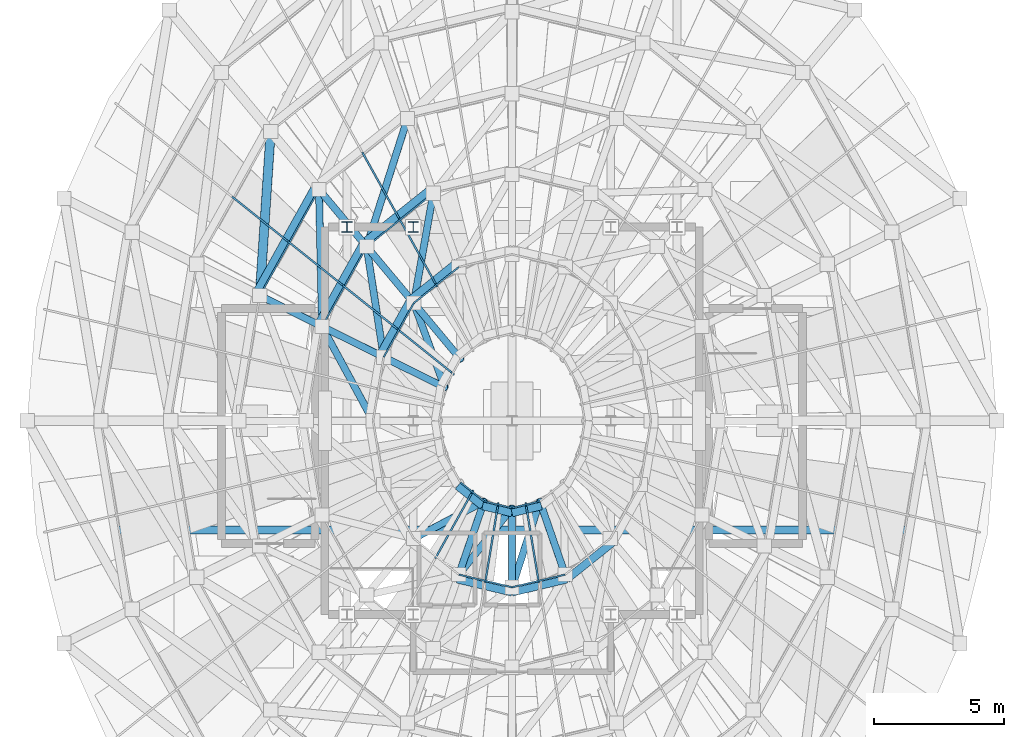
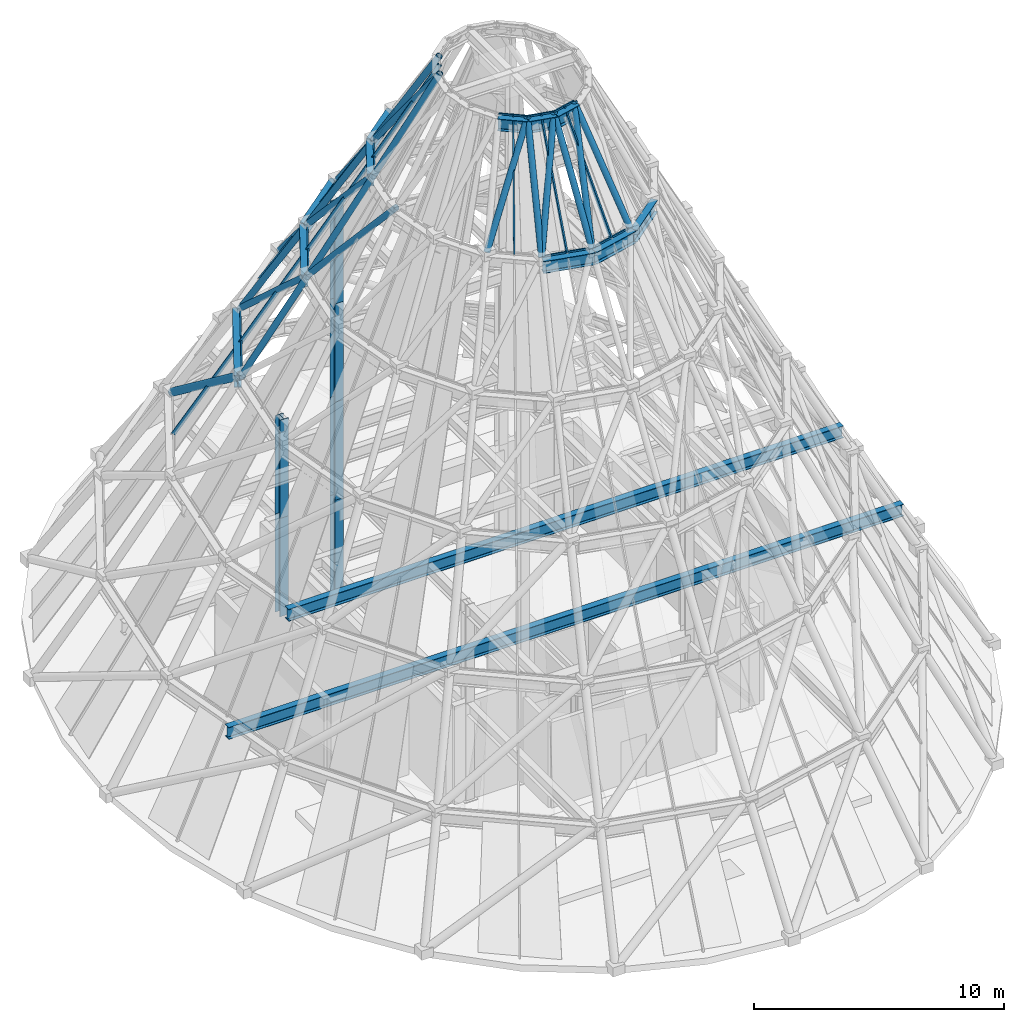
# One storey, part 5 of 16: 44 members, 13 beams, 4 elements without a shape of their own.
"""IFC4 building model written with IfcOpenShell, lengths in metres."""

from ifc_helpers import new_model, si_unit, direction, frame, origin, origin_2d, place, context, subcontext, project, spatial, hollow_rectangle, hollow_circle, i_section, extrude, material, layer, layer_set, material_profile, profile_set, type_object, element, aggregate, save


model = new_model("IFC4")

# Units and contexts
model_context = context("Model", 3, precision=1e-05, world=origin(), true_north=direction((0.0, 1.0)))
body_context = subcontext(model_context, "Body", "Model", "MODEL_VIEW")
ifc_project = project(units=[si_unit("LENGTHUNIT", "METRE"), si_unit("AREAUNIT", "SQUARE_METRE"), si_unit("VOLUMEUNIT", "CUBIC_METRE"), si_unit("PLANEANGLEUNIT", "RADIAN"), si_unit("MASSUNIT", "GRAM", prefix="KILO")], contexts=[model_context])

# Site, building, storey
site_placement = place(None, origin())
site = spatial("IfcSite", under=ifc_project, at=site_placement, CompositionType="ELEMENT")
building_placement = place(site_placement, origin())
building = spatial("IfcBuilding", under=site, at=building_placement, Name="Veldorina Hangang Commons", CompositionType="ELEMENT")
storey_placement = place(building_placement, frame((0.0, 0.0, 308.39990234375)))
storey = spatial("IfcBuildingStorey", under=building, at=storey_placement, Name="Crown", CompositionType="ELEMENT", Elevation=308.39990234375)

# Beams
ifc_material_1 = material(Name="Steel SM460-TMC", Category="steel")
ifc_material_profile_1 = material_profile(ifc_material_1, i_section(OverallWidth=0.300048828125, OverallDepth=0.587890625, WebThickness=0.011962890625, FlangeThickness=0.02001953125, FilletRadius=0.01806640625, at=origin_2d()), Name="H-588x300x12x20")
ifc_profile_set_1 = profile_set([ifc_material_profile_1], Name="Steel SM460-TMC")
beam_type = type_object("IfcBeamType", Name="BM-FG588", PredefinedType="BEAM", material=ifc_profile_set_1)
beam_1_placement = place(storey_placement, frame((16.39990234375, 19.800048828125, 4.5), z_axis=(1.0, 0.0, 0.0), x_axis=(0.0, 1.0, 0.0)))
element("IfcBeam", 1, at=beam_1_placement, inside=storey, type_object=beam_type, Name="Crown tier 1 S grillage tie beam", PredefinedType="BEAM", context=body_context, shape_type="SweptSolid", body=[
    extrude(i_section(OverallWidth=0.300048828125, OverallDepth=0.587890625, WebThickness=0.011962890625, FlangeThickness=0.02001953125, FilletRadius=0.01806640625, at=origin_2d()), origin(), (0.0, 0.0, 1.0), 31.2001953125),
])
beam_2_placement = place(storey_placement, frame((19.174072265625, 19.800048828125, 9.300048828125), z_axis=(1.0, 0.0, 0.0), x_axis=(0.0, 1.0, 0.0)))
element("IfcBeam", 2, at=beam_2_placement, inside=storey, type_object=beam_type, Name="Crown tier 2 S grillage tie beam", PredefinedType="BEAM", context=body_context, shape_type="SweptSolid", body=[
    extrude(i_section(OverallWidth=0.300048828125, OverallDepth=0.587890625, WebThickness=0.011962890625, FlangeThickness=0.02001953125, FilletRadius=0.01806640625, at=origin_2d()), origin(), (0.0, 0.0, 1.0), 25.65185546875),
])
beam_3_placement = place(storey_placement, frame((24.45849609375, 33.03759765625, 14.10009765625), z_axis=(-0.486956666645, -0.873426130139, 0.0), x_axis=(0.873426130139, -0.486956666645, 0.0)))
element("IfcBeam", 3, at=beam_3_placement, inside=storey, type_object=beam_type, Name="Crown tier 3 ring beam 06", PredefinedType="BEAM", context=body_context, shape_type="SweptSolid", body=[
    extrude(i_section(OverallWidth=0.300048828125, OverallDepth=0.587890625, WebThickness=0.011962890625, FlangeThickness=0.02001953125, FilletRadius=0.01806640625, at=origin_2d()), origin(), (0.0, 0.0, 1.0), 4.747314453125),
])
beam_4_placement = place(storey_placement, frame((28.911376953125, 32.935791015625, 18.900146484375), z_axis=(-0.780584702233, -0.62505001611, 0.0), x_axis=(0.62505001611, -0.780584702233, 0.0)))
element("IfcBeam", 4, at=beam_4_placement, inside=storey, type_object=beam_type, Name="Crown tier 4 ring beam 05", PredefinedType="BEAM", context=body_context, shape_type="SweptSolid", body=[
    extrude(i_section(OverallWidth=0.300048828125, OverallDepth=0.587890625, WebThickness=0.011962890625, FlangeThickness=0.02001953125, FilletRadius=0.01806640625, at=origin_2d()), origin(), (0.0, 0.0, 1.0), 3.3544921875),
])
beam_5_placement = place(storey_placement, frame((26.29296875, 30.839111328125, 18.900146484375), z_axis=(-0.486992551607, -0.873406122419, 0.0), x_axis=(0.873406122419, -0.486992551607, 0.0)))
element("IfcBeam", 5, at=beam_5_placement, inside=storey, type_object=beam_type, Name="Crown tier 4 ring beam 06", PredefinedType="BEAM", context=body_context, shape_type="SweptSolid", body=[
    extrude(i_section(OverallWidth=0.300048828125, OverallDepth=0.587890625, WebThickness=0.011962890625, FlangeThickness=0.02001953125, FilletRadius=0.01806640625, at=origin_2d()), origin(), (0.0, 0.0, 1.0), 3.592529296875),
])
beam_6_placement = place(storey_placement, frame((29.89404296875, 30.093017578125, 23.7001953125), z_axis=(-0.780577146604, -0.625059451732, 0.0), x_axis=(0.625059451732, -0.780577146604, 0.0)))
element("IfcBeam", 6, at=beam_6_placement, inside=storey, type_object=beam_type, Name="Crown tier 5 ring beam 05", PredefinedType="BEAM", context=body_context, shape_type="SweptSolid", body=[
    extrude(i_section(OverallWidth=0.300048828125, OverallDepth=0.587890625, WebThickness=0.011962890625, FlangeThickness=0.02001953125, FilletRadius=0.01806640625, at=origin_2d()), origin(), (0.0, 0.0, 1.0), 2.287353515625),
])
beam_7_placement = place(storey_placement, frame((28.108642578125, 28.663330078125, 23.7001953125), z_axis=(-0.487021535695, -0.873389960882, 0.0), x_axis=(0.873389960882, -0.487021535695, 0.0)))
element("IfcBeam", 7, at=beam_7_placement, inside=storey, type_object=beam_type, Name="Crown tier 5 ring beam 06", PredefinedType="BEAM", context=body_context, shape_type="SweptSolid", body=[
    extrude(i_section(OverallWidth=0.300048828125, OverallDepth=0.587890625, WebThickness=0.011962890625, FlangeThickness=0.02001953125, FilletRadius=0.01806640625, at=origin_2d()), origin(), (0.0, 0.0, 1.0), 2.44970703125),
])
for number, where, z_axis, x_axis, name in (
    (8, (29.89404296875, 17.906982421875, 23.7001953125), (0.972725088951, -0.231960990954, 0.0), (0.231960990954, 0.972725088951, 0.0), "Crown tier 5 ring beam 11"),
    (9, (32.0, 17.40478515625, 23.7001953125), (0.972725088951, 0.231960990954, 0.0), (-0.231960990954, 0.972725088951, 0.0), "Crown tier 5 ring beam 12"),
):
    element("IfcBeam", number, at=place(storey_placement, frame(where, z_axis=z_axis, x_axis=x_axis)), inside=storey, type_object=beam_type, Name=name, PredefinedType="BEAM", context=body_context, shape_type="SweptSolid", body=[
        extrude(i_section(OverallWidth=0.300048828125, OverallDepth=0.587890625, WebThickness=0.011962890625, FlangeThickness=0.02001953125, FilletRadius=0.01806640625, at=origin_2d()), origin(), (0.0, 0.0, 1.0), 2.1650390625),
    ])
beam_8_placement = place(storey_placement, frame((34.10595703125, 17.906982421875, 23.7001953125), z_axis=(0.780577146604, 0.625059451732, 0.0), x_axis=(-0.625059451732, 0.780577146604, 0.0)))
element("IfcBeam", 10, at=beam_8_placement, inside=storey, type_object=beam_type, Name="Crown tier 5 ring beam 13", PredefinedType="BEAM", context=body_context, shape_type="SweptSolid", body=[
    extrude(i_section(OverallWidth=0.300048828125, OverallDepth=0.587890625, WebThickness=0.011962890625, FlangeThickness=0.02001953125, FilletRadius=0.01806640625, at=origin_2d()), origin(), (0.0, 0.0, 1.0), 2.287353515625),
])
beam_9_placement = place(storey_placement, frame((29.909423828125, 21.49462890625, 28.5), z_axis=(0.780519739347, -0.625131135434, 0.0), x_axis=(0.625131135434, 0.780519739347, 0.0)))
element("IfcBeam", 11, at=beam_9_placement, inside=storey, type_object=beam_type, Name="Crown tier 6 ring beam 10", PredefinedType="BEAM", context=body_context, shape_type="SweptSolid", body=[
    extrude(i_section(OverallWidth=0.300048828125, OverallDepth=0.587890625, WebThickness=0.011962890625, FlangeThickness=0.02001953125, FilletRadius=0.01806640625, at=origin_2d()), origin(), (0.0, 0.0, 1.0), 1.228759765625),
])
for number, where, z_axis, x_axis, name in (
    (12, (30.868408203125, 20.7265625, 28.5), (0.972738619202, -0.231904244707, 0.0), (0.231904244707, 0.972738619202, 0.0), "Crown tier 6 ring beam 11"),
    (13, (32.0, 20.456787109375, 28.5), (0.972738619202, 0.231904244707, 0.0), (-0.231904244707, 0.972738619202, 0.0), "Crown tier 6 ring beam 12"),
):
    element("IfcBeam", number, at=place(storey_placement, frame(where, z_axis=z_axis, x_axis=x_axis)), inside=storey, type_object=beam_type, Name=name, PredefinedType="BEAM", context=body_context, shape_type="SweptSolid", body=[
        extrude(i_section(OverallWidth=0.300048828125, OverallDepth=0.587890625, WebThickness=0.011962890625, FlangeThickness=0.02001953125, FilletRadius=0.01806640625, at=origin_2d()), origin(), (0.0, 0.0, 1.0), 1.163330078125),
    ])

# Members
ifc_material_profile_2 = material_profile(ifc_material_1, i_section(OverallWidth=0.39990234375, OverallDepth=0.39990234375, WebThickness=0.012939453125, FlangeThickness=0.02099609375, FilletRadius=0.01806640625, at=origin_2d()), Name="H-400x400x13x21")
ifc_profile_set_2 = profile_set([ifc_material_profile_2], Name="Steel SM460-TMC")
member_type_1 = type_object("IfcMemberType", Name="CRN-POST-H400", PredefinedType="BRACE", material=ifc_profile_set_2)
for number, where, z_axis, x_axis, name in (
    (14, (25.64990234375, 31.449951171875, 0.0), (0.0, 0.0, 1.0), (1.0, 0.0, 0.0), "Crown tier 1 outer core post NW"),
    (15, (28.199951171875, 31.449951171875, 0.0), (0.0, 0.0, 1.0), (1.0, 0.0, 0.0), "Crown tier 1 inner core post INW"),
    (16, (25.64990234375, 31.449951171875, 4.800048828125), (0.0, 0.0, 1.0), (1.0, 0.0, 0.0), "Crown tier 2 outer core post NW"),
    (17, (28.199951171875, 31.449951171875, 4.800048828125), (0.0, 0.0, 1.0), (1.0, 0.0, 0.0), "Crown tier 2 inner core post INW"),
    (18, (28.199951171875, 31.449951171875, 9.60009765625), (0.0, 0.0, 1.0), (1.0, 0.0, 0.0), "Crown tier 3 inner core post INW"),
    (19, (28.199951171875, 31.449951171875, 14.400146484375), (0.0, 0.0, 1.0), (1.0, 0.0, 0.0), "Crown tier 4 inner core post INW"),
):
    element("IfcMember", number, at=place(storey_placement, frame(where, z_axis=z_axis, x_axis=x_axis)), inside=storey, type_object=member_type_1, Name=name, PredefinedType="BRACE", context=body_context, shape_type="SweptSolid", body=[
        extrude(i_section(OverallWidth=0.39990234375, OverallDepth=0.39990234375, WebThickness=0.012939453125, FlangeThickness=0.02099609375, FilletRadius=0.01806640625, at=origin_2d()), origin(), (0.0, 0.0, 1.0), 4.800048828125),
    ])
ifc_material_2 = material(Name="Steel SM355-TMC", Category="steel")
ifc_material_profile_3 = material_profile(ifc_material_2, hollow_circle(Radius=0.136474609375, WallThickness=0.011962890625, at=origin_2d()), Name="CHS-273.0x12")
ifc_profile_set_3 = profile_set([ifc_material_profile_3], Name="Steel SM355-TMC")
member_type_2 = type_object("IfcMemberType", Name="CRN-RIB273", PredefinedType="BRACE", material=ifc_profile_set_3)
member_1_placement = place(storey_placement, frame((27.9814453125, 35.626220703125, 14.400146484375), z_axis=(-0.223081746633, -0.698038912441, 0.680423552677), x_axis=(0.95253923004, -0.30441585904, 0.0)))
element("IfcMember", 20, at=member_1_placement, inside=storey, type_object=member_type_2, Name="Crown tier 4 CROWN FRAME diagrid brace 05", PredefinedType="BRACE", context=body_context, shape_type="SweptSolid", body=[
    extrude(hollow_circle(Radius=0.136474609375, WallThickness=0.011962890625, at=origin_2d()), origin(), (0.0, 0.0, 1.0), 7.054443359375),
])
member_2_placement = place(storey_placement, frame((24.57470703125, 32.8984375, 14.400146484375), z_axis=(0.328028884835, -0.393084160477, 0.859000520079), x_axis=(0.767780420949, 0.640713059963, 0.0)))
element("IfcMember", 21, at=member_2_placement, inside=storey, type_object=member_type_2, Name="Crown tier 4 CROWN FRAME meridian rib 06", PredefinedType="BRACE", context=body_context, shape_type="SweptSolid", body=[
    extrude(hollow_circle(Radius=0.136474609375, WallThickness=0.011962890625, at=origin_2d()), origin(), (0.0, 0.0, 1.0), 5.587890625),
])
member_3_placement = place(storey_placement, frame((24.57470703125, 32.8984375, 14.400146484375), z_axis=(0.016606038844, -0.739294001469, 0.673177999392), x_axis=(0.999747824183, 0.022456358592, 0.0)))
element("IfcMember", 22, at=member_3_placement, inside=storey, type_object=member_type_2, Name="Crown tier 4 CROWN FRAME diagrid brace 06", PredefinedType="BRACE", context=body_context, shape_type="SweptSolid", body=[
    extrude(hollow_circle(Radius=0.136474609375, WallThickness=0.011962890625, at=origin_2d()), origin(), (0.0, 0.0, 1.0), 7.13037109375),
])
member_4_placement = place(storey_placement, frame((22.29833984375, 28.81591796875, 14.400146484375), z_axis=(0.435852985266, -0.216393520058, 0.873616632003), x_axis=(0.444691596768, 0.895683752093, 0.0)))
element("IfcMember", 23, at=member_4_placement, inside=storey, type_object=member_type_2, Name="Crown tier 4 CROWN FRAME meridian rib 07", PredefinedType="BRACE", context=body_context, shape_type="SweptSolid", body=[
    extrude(hollow_circle(Radius=0.136474609375, WallThickness=0.011962890625, at=origin_2d()), origin(), (0.0, 0.0, 1.0), 5.494384765625),
])
member_5_placement = place(storey_placement, frame((28.973388671875, 32.75634765625, 19.2001953125), z_axis=(-0.116670725251, -0.656547638751, 0.74520677662), x_axis=(0.984575130924, -0.174962314704, 0.0)))
element("IfcMember", 24, at=member_5_placement, inside=storey, type_object=member_type_2, Name="Crown tier 5 CROWN FRAME diagrid brace 05", PredefinedType="BRACE", context=body_context, shape_type="SweptSolid", body=[
    extrude(hollow_circle(Radius=0.136474609375, WallThickness=0.011962890625, at=origin_2d()), origin(), (0.0, 0.0, 1.0), 6.44091796875),
])
member_6_placement = place(storey_placement, frame((26.40771484375, 30.701904296875, 19.2001953125), z_axis=(0.325541713887, -0.390159400333, 0.861277095278), x_axis=(0.767825394616, 0.640659163193, 0.0)))
element("IfcMember", 25, at=member_6_placement, inside=storey, type_object=member_type_2, Name="Crown tier 5 CROWN FRAME meridian rib 06", PredefinedType="BRACE", context=body_context, shape_type="SweptSolid", body=[
    extrude(hollow_circle(Radius=0.136474609375, WallThickness=0.011962890625, at=origin_2d()), origin(), (0.0, 0.0, 1.0), 5.572998046875),
])
member_7_placement = place(storey_placement, frame((26.40771484375, 30.701904296875, 19.2001953125), z_axis=(0.10177608333, -0.659631742161, 0.744666095371), x_axis=(0.988305340523, 0.152487881136, 0.0)))
element("IfcMember", 26, at=member_7_placement, inside=storey, type_object=member_type_2, Name="Crown tier 5 CROWN FRAME diagrid brace 06", PredefinedType="BRACE", context=body_context, shape_type="SweptSolid", body=[
    extrude(hollow_circle(Radius=0.136474609375, WallThickness=0.011962890625, at=origin_2d()), origin(), (0.0, 0.0, 1.0), 6.445556640625),
])
member_8_placement = place(storey_placement, frame((24.693115234375, 27.626953125, 19.2001953125), z_axis=(0.432504003521, -0.214693027495, 0.875698116295), x_axis=(0.444628824746, 0.895714914582, 0.0)))
element("IfcMember", 27, at=member_8_placement, inside=storey, type_object=member_type_2, Name="Crown tier 5 CROWN FRAME meridian rib 07", PredefinedType="BRACE", context=body_context, shape_type="SweptSolid", body=[
    extrude(hollow_circle(Radius=0.136474609375, WallThickness=0.011962890625, at=origin_2d()), origin(), (0.0, 0.0, 1.0), 5.481201171875),
])
member_9_placement = place(storey_placement, frame((24.693115234375, 27.626953125, 19.2001953125), z_axis=(0.310321984248, -0.573115787914, 0.758444829725), x_axis=(0.87936632406, 0.476145847519, 0.0)))
element("IfcMember", 28, at=member_9_placement, inside=storey, type_object=member_type_2, Name="Crown tier 5 CROWN FRAME diagrid brace 07", PredefinedType="BRACE", context=body_context, shape_type="SweptSolid", body=[
    extrude(hollow_circle(Radius=0.136474609375, WallThickness=0.011962890625, at=origin_2d()), origin(), (0.0, 0.0, 1.0), 6.328369140625),
])
member_10_placement = place(storey_placement, frame((28.221923828125, 28.527587890625, 24.0), z_axis=(0.323647112636, -0.387823442308, 0.863044334944), x_axis=(0.767772338623, 0.640722745067, 0.0)))
element("IfcMember", 29, at=member_10_placement, inside=storey, type_object=member_type_2, Name="Crown tier 6 CROWN FRAME meridian rib 06", PredefinedType="BRACE", context=body_context, shape_type="SweptSolid", body=[
    extrude(hollow_circle(Radius=0.136474609375, WallThickness=0.011962890625, at=origin_2d()), origin(), (0.0, 0.0, 1.0), 5.561767578125),
])
member_11_placement = place(storey_placement, frame((28.221923828125, 28.527587890625, 24.0), z_axis=(0.201737053965, -0.548503569392, 0.81144685311), x_axis=(0.938533474823, 0.345188233629, 0.0)))
element("IfcMember", 30, at=member_11_placement, inside=storey, type_object=member_type_2, Name="Crown tier 6 CROWN FRAME diagrid brace 06", PredefinedType="BRACE", context=body_context, shape_type="SweptSolid", body=[
    extrude(hollow_circle(Radius=0.136474609375, WallThickness=0.011962890625, at=origin_2d()), origin(), (0.0, 0.0, 1.0), 5.91552734375),
])
member_12_placement = place(storey_placement, frame((27.063720703125, 26.4501953125, 24.0), z_axis=(0.429816591841, -0.213346462374, 0.877348838474), x_axis=(0.444607847719, 0.895725327177, 0.0)))
element("IfcMember", 31, at=member_12_placement, inside=storey, type_object=member_type_2, Name="Crown tier 6 CROWN FRAME meridian rib 07", PredefinedType="BRACE", context=body_context, shape_type="SweptSolid", body=[
    extrude(hollow_circle(Radius=0.136474609375, WallThickness=0.011962890625, at=origin_2d()), origin(), (0.0, 0.0, 1.0), 5.47119140625),
])
member_13_placement = place(storey_placement, frame((28.221923828125, 19.472412109375, 24.0), z_axis=(0.475541378496, 0.251192190733, 0.843067542165), x_axis=(-0.467066931104, 0.884221964141, 0.0)))
element("IfcMember", 32, at=member_13_placement, inside=storey, type_object=member_type_2, Name="Crown tier 6 CROWN FRAME diagrid brace 10", PredefinedType="BRACE", context=body_context, shape_type="SweptSolid", body=[
    extrude(hollow_circle(Radius=0.136474609375, WallThickness=0.011962890625, at=origin_2d()), origin(), (0.0, 0.0, 1.0), 5.693603515625),
])
member_14_placement = place(storey_placement, frame((29.955322265625, 18.08447265625, 24.0), z_axis=(0.172387447674, 0.49871386178, 0.849451029755), x_axis=(-0.94512908195, 0.326697135665, 0.0)))
element("IfcMember", 33, at=member_14_placement, inside=storey, type_object=member_type_2, Name="Crown tier 6 CROWN FRAME meridian rib 11", PredefinedType="BRACE", context=body_context, shape_type="SweptSolid", body=[
    extrude(hollow_circle(Radius=0.136474609375, WallThickness=0.011962890625, at=origin_2d()), origin(), (0.0, 0.0, 1.0), 5.65087890625),
])
member_15_placement = place(storey_placement, frame((29.955322265625, 18.08447265625, 24.0), z_axis=(0.351746858528, 0.440912062188, 0.825754625136), x_axis=(-0.781718060502, 0.623632001973, 0.0)))
element("IfcMember", 34, at=member_15_placement, inside=storey, type_object=member_type_2, Name="Crown tier 6 CROWN FRAME diagrid brace 11", PredefinedType="BRACE", context=body_context, shape_type="SweptSolid", body=[
    extrude(hollow_circle(Radius=0.136474609375, WallThickness=0.011962890625, at=origin_2d()), origin(), (0.0, 0.0, 1.0), 5.81298828125),
])
member_16_placement = place(storey_placement, frame((32.0, 17.59716796875, 24.0), z_axis=(0.0, 0.536339291978, 0.84400246675), x_axis=(-1.0, 0.0, 0.0)))
element("IfcMember", 35, at=member_16_placement, inside=storey, type_object=member_type_2, Name="Crown tier 6 CROWN FRAME meridian rib 12", PredefinedType="BRACE", context=body_context, shape_type="SweptSolid", body=[
    extrude(hollow_circle(Radius=0.136474609375, WallThickness=0.011962890625, at=origin_2d()), origin(), (0.0, 0.0, 1.0), 5.687255859375),
])
member_17_placement = place(storey_placement, frame((32.0, 17.59716796875, 24.0), z_axis=(0.180667332523, 0.557823264544, 0.810057109402), x_axis=(-0.951347021281, 0.308121477828, 0.0)))
element("IfcMember", 36, at=member_17_placement, inside=storey, type_object=member_type_2, Name="Crown tier 6 CROWN FRAME diagrid brace 12", PredefinedType="BRACE", context=body_context, shape_type="SweptSolid", body=[
    extrude(hollow_circle(Radius=0.136474609375, WallThickness=0.011962890625, at=origin_2d()), origin(), (0.0, 0.0, 1.0), 5.925537109375),
])
member_18_placement = place(storey_placement, frame((34.044677734375, 18.08447265625, 24.0), z_axis=(-0.172387447674, 0.49871386178, 0.849451029755), x_axis=(-0.94512908195, -0.326697135665, 0.0)))
element("IfcMember", 37, at=member_18_placement, inside=storey, type_object=member_type_2, Name="Crown tier 6 CROWN FRAME meridian rib 13", PredefinedType="BRACE", context=body_context, shape_type="SweptSolid", body=[
    extrude(hollow_circle(Radius=0.136474609375, WallThickness=0.011962890625, at=origin_2d()), origin(), (0.0, 0.0, 1.0), 5.65087890625),
])
ifc_material_profile_4 = material_profile(ifc_material_2, hollow_circle(Radius=0.177734375, WallThickness=0.01611328125, at=origin_2d()), Name="CHS-355.6x16")
ifc_profile_set_4 = profile_set([ifc_material_profile_4], Name="Steel SM355-TMC")
member_type_3 = type_object("IfcMemberType", Name="CRN-RIB355", PredefinedType="BRACE", material=ifc_profile_set_4)
member_19_placement = place(storey_placement, frame((22.716796875, 35.125, 9.60009765625), z_axis=(-0.052712225963, -0.794742907423, 0.604652902362), x_axis=(0.997807652572, -0.066180725815, 0.0)))
element("IfcMember", 38, at=member_19_placement, inside=storey, type_object=member_type_3, Name="Crown tier 3 CROWN FRAME diagrid brace 06", PredefinedType="BRACE", context=body_context, shape_type="SweptSolid", body=[
    extrude(hollow_circle(Radius=0.177734375, WallThickness=0.01611328125, at=origin_2d()), origin(), (0.0, 0.0, 1.0), 7.9384765625),
])

# Curtain wall, member
ifc_material_3 = material(Name="Glass Low-Iron Laminated", Category="glass")
ifc_layer = layer(ifc_material_3, 0.179931640625)
ifc_layer_set = layer_set([ifc_layer], Name="Glass Low-Iron Laminated")
curtain_wall_type = type_object("IfcCurtainWallType", Name="CW-SYS-CRN", PredefinedType="NOTDEFINED", material=ifc_layer_set)
curtain_wall_1_placement = place(storey_placement, origin())
curtain_wall_1 = element("IfcCurtainWall", 39, at=curtain_wall_1_placement, inside=storey, type_object=curtain_wall_type, Name="Crown glass-point sloped pyramidal curtain wall tier 3", PredefinedType="NOTDEFINED")
ifc_material_4 = material(Name="Aluminium Anodized AA6063-T6", Category="aluminium")
ifc_material_profile_5 = material_profile(ifc_material_4, hollow_rectangle(XDim=0.070068359375, YDim=0.179931640625, WallThickness=0.00390625, at=origin_2d()), Name="ALU-RHS-180x70x4")
ifc_profile_set_5 = profile_set([ifc_material_profile_5], Name="Aluminium Anodized AA6063-T6")
member_type_4 = type_object("IfcMemberType", Name="CW-MUL-180", PredefinedType="MULLION", material=ifc_profile_set_5)
member_20_placement = place(storey_placement, frame((21.293701171875, 32.572998046875, 9.60009765625), z_axis=(0.387520273629, -0.310298790368, 0.86806837186), x_axis=(0.625042053082, 0.780591078529, 0.0)))
member_20 = element("IfcMember", 40, at=member_20_placement, type_object=member_type_4, Name="CW-CRN-T3 sloped mid-facet mullion 7", PredefinedType="MULLION", context=body_context, shape_type="SweptSolid", body=[
    extrude(hollow_rectangle(XDim=0.070068359375, YDim=0.179931640625, WallThickness=0.00390625, at=origin_2d()), origin(), (0.0, 0.0, 1.0), 5.529541015625),
])

# Curtain wall, members
curtain_wall_2_placement = place(storey_placement, origin())
curtain_wall_2 = element("IfcCurtainWall", 41, at=curtain_wall_2_placement, inside=storey, type_object=curtain_wall_type, Name="Crown glass-point sloped pyramidal curtain wall tier 4", PredefinedType="NOTDEFINED")
member_21_placement = place(storey_placement, frame((26.278076171875, 34.26220703125, 14.400146484375), z_axis=(0.25183553366, -0.451693257954, 0.855892554416), x_axis=(0.873421711736, 0.486964591595, 0.0)))
member_21 = element("IfcMember", 42, at=member_21_placement, type_object=member_type_4, Name="CW-CRN-T4 sloped mid-facet mullion 6", PredefinedType="MULLION", context=body_context, shape_type="SweptSolid", body=[
    extrude(hollow_rectangle(XDim=0.070068359375, YDim=0.179931640625, WallThickness=0.00390625, at=origin_2d()), origin(), (0.0, 0.0, 1.0), 5.608154296875),
])
member_22_placement = place(storey_placement, frame((23.4365234375, 30.857177734375, 14.400146484375), z_axis=(0.383534533147, -0.307164293468, 0.870948539641), x_axis=(0.625112734885, 0.780534476295, 0.0)))
member_22 = element("IfcMember", 43, at=member_22_placement, type_object=member_type_4, Name="CW-CRN-T4 sloped mid-facet mullion 7", PredefinedType="MULLION", context=body_context, shape_type="SweptSolid", body=[
    extrude(hollow_rectangle(XDim=0.070068359375, YDim=0.179931640625, WallThickness=0.00390625, at=origin_2d()), origin(), (0.0, 0.0, 1.0), 5.51123046875),
])

curtain_wall_3_placement = place(storey_placement, origin())
curtain_wall_3 = element("IfcCurtainWall", 44, at=curtain_wall_3_placement, inside=storey, type_object=curtain_wall_type, Name="Crown glass-point sloped pyramidal curtain wall tier 5", PredefinedType="NOTDEFINED")
member_23_placement = place(storey_placement, frame((27.6904296875, 31.72900390625, 19.2001953125), z_axis=(0.249992590984, -0.448345364414, 0.85819003645), x_axis=(0.873402131722, 0.486999708731, 0.0)))
member_23 = element("IfcMember", 45, at=member_23_placement, type_object=member_type_4, Name="CW-CRN-T5 sloped mid-facet mullion 6", PredefinedType="MULLION", context=body_context, shape_type="SweptSolid", body=[
    extrude(hollow_rectangle(XDim=0.070068359375, YDim=0.179931640625, WallThickness=0.00390625, at=origin_2d()), origin(), (0.0, 0.0, 1.0), 5.593017578125),
])
member_24_placement = place(storey_placement, frame((25.55029296875, 29.164306640625, 19.2001953125), z_axis=(0.38062719347, -0.304732680153, 0.873075559867), x_axis=(0.624983791766, 0.780637726497, 0.0)))
member_24 = element("IfcMember", 46, at=member_24_placement, type_object=member_type_4, Name="CW-CRN-T5 sloped mid-facet mullion 7", PredefinedType="MULLION", context=body_context, shape_type="SweptSolid", body=[
    extrude(hollow_rectangle(XDim=0.070068359375, YDim=0.179931640625, WallThickness=0.00390625, at=origin_2d()), origin(), (0.0, 0.0, 1.0), 5.49755859375),
])

curtain_wall_4_placement = place(storey_placement, origin())
curtain_wall_4 = element("IfcCurtainWall", 47, at=curtain_wall_4_placement, inside=storey, type_object=curtain_wall_type, Name="Crown glass-point sloped pyramidal curtain wall tier 6", PredefinedType="NOTDEFINED")
member_25_placement = place(storey_placement, frame((27.642822265625, 27.489013671875, 24.0), z_axis=(0.378301834712, -0.302890613986, 0.874725670032), x_axis=(0.625008477722, 0.780617962114, 0.0)))
member_25 = element("IfcMember", 48, at=member_25_placement, type_object=member_type_4, Name="CW-CRN-T6 sloped mid-facet mullion 7", PredefinedType="MULLION", context=body_context, shape_type="SweptSolid", body=[
    extrude(hollow_rectangle(XDim=0.070068359375, YDim=0.179931640625, WallThickness=0.00390625, at=origin_2d()), origin(), (0.0, 0.0, 1.0), 5.487548828125),
])
member_26_placement = place(storey_placement, frame((29.088623046875, 18.778564453125, 24.0), z_axis=(0.248497278817, 0.445685402898, 0.860007920931), x_axis=(-0.87341225589, 0.486981551253, 0.0)))
member_26 = element("IfcMember", 49, at=member_26_placement, type_object=member_type_4, Name="CW-CRN-T6 sloped mid-facet mullion 11", PredefinedType="MULLION", context=body_context, shape_type="SweptSolid", body=[
    extrude(hollow_rectangle(XDim=0.070068359375, YDim=0.179931640625, WallThickness=0.00390625, at=origin_2d()), origin(), (0.0, 0.0, 1.0), 5.581298828125),
])
member_27_placement = place(storey_placement, frame((30.977783203125, 17.8408203125, 24.0), z_axis=(0.086209159399, 0.519632841933, 0.850029229157), x_axis=(-0.986515662512, 0.163666880027, 0.0)))
member_27 = element("IfcMember", 50, at=member_27_placement, type_object=member_type_4, Name="CW-CRN-T6 sloped mid-facet mullion 12", PredefinedType="MULLION", context=body_context, shape_type="SweptSolid", body=[
    extrude(hollow_rectangle(XDim=0.070068359375, YDim=0.179931640625, WallThickness=0.00390625, at=origin_2d()), origin(), (0.0, 0.0, 1.0), 5.64697265625),
])
member_28_placement = place(storey_placement, frame((33.022216796875, 17.8408203125, 24.0), z_axis=(-0.086209159399, 0.519632841933, 0.850029229157), x_axis=(-0.986515662512, -0.163666880027, 0.0)))
member_28 = element("IfcMember", 51, at=member_28_placement, type_object=member_type_4, Name="CW-CRN-T6 sloped mid-facet mullion 13", PredefinedType="MULLION", context=body_context, shape_type="SweptSolid", body=[
    extrude(hollow_rectangle(XDim=0.070068359375, YDim=0.179931640625, WallThickness=0.00390625, at=origin_2d()), origin(), (0.0, 0.0, 1.0), 5.64697265625),
])

# Member
ifc_material_profile_6 = material_profile(ifc_material_4, hollow_rectangle(XDim=0.06005859375, YDim=0.139892578125, WallThickness=0.00341796875, at=origin_2d()), Name="ALU-RHS-140x60x3.5")
ifc_profile_set_6 = profile_set([ifc_material_profile_6], Name="Aluminium Anodized AA6063-T6")
member_type_5 = type_object("IfcMemberType", Name="CW-TRN-140", PredefinedType="USERDEFINED", material=ifc_profile_set_6)
member_29_placement = place(storey_placement, frame((24.57470703125, 32.8984375, 14.400146484375), z_axis=(-0.486999359603, -0.873402326392, 0.0), x_axis=(0.873402326392, -0.486999359603, 0.0)))
member_29 = element("IfcMember", 52, at=member_29_placement, type_object=member_type_5, Name="CW-CRN-T3 horizontal ring transom 7", ObjectType="TRANSOM", PredefinedType="USERDEFINED", context=body_context, shape_type="SweptSolid", body=[
    extrude(hollow_rectangle(XDim=0.06005859375, YDim=0.139892578125, WallThickness=0.00341796875, at=origin_2d()), origin(), (0.0, 0.0, 1.0), 4.67431640625),
])

aggregate(curtain_wall_1, [member_20, member_29])

member_30_placement = place(storey_placement, frame((28.973388671875, 32.75634765625, 19.2001953125), z_axis=(-0.780586111303, -0.62504825641, 0.0), x_axis=(0.62504825641, -0.780586111303, 0.0)))
member_30 = element("IfcMember", 53, at=member_30_placement, type_object=member_type_5, Name="CW-CRN-T4 horizontal ring transom 6", ObjectType="TRANSOM", PredefinedType="USERDEFINED", context=body_context, shape_type="SweptSolid", body=[
    extrude(hollow_rectangle(XDim=0.06005859375, YDim=0.139892578125, WallThickness=0.00341796875, at=origin_2d()), origin(), (0.0, 0.0, 1.0), 3.286865234375),
])

member_31_placement = place(storey_placement, frame((26.40771484375, 30.701904296875, 19.2001953125), z_axis=(-0.487008299347, -0.873397341631, 0.0), x_axis=(0.873397341631, -0.487008299347, 0.0)))
member_31 = element("IfcMember", 54, at=member_31_placement, type_object=member_type_5, Name="CW-CRN-T4 horizontal ring transom 7", ObjectType="TRANSOM", PredefinedType="USERDEFINED", context=body_context, shape_type="SweptSolid", body=[
    extrude(hollow_rectangle(XDim=0.06005859375, YDim=0.139892578125, WallThickness=0.00341796875, at=origin_2d()), origin(), (0.0, 0.0, 1.0), 3.520751953125),
])

aggregate(curtain_wall_2, [member_21, member_30, member_22, member_31])

member_32_placement = place(storey_placement, frame((29.955322265625, 29.91552734375, 24.0), z_axis=(-0.780600582028, -0.625030184342, 0.0), x_axis=(0.625030184342, -0.780600582028, 0.0)))
member_32 = element("IfcMember", 55, at=member_32_placement, type_object=member_type_5, Name="CW-CRN-T5 horizontal ring transom 6", ObjectType="TRANSOM", PredefinedType="USERDEFINED", context=body_context, shape_type="SweptSolid", body=[
    extrude(hollow_rectangle(XDim=0.06005859375, YDim=0.139892578125, WallThickness=0.00341796875, at=origin_2d()), origin(), (0.0, 0.0, 1.0), 2.220703125),
])

member_33_placement = place(storey_placement, frame((28.221923828125, 28.527587890625, 24.0), z_axis=(-0.486958395627, -0.873425166187, 0.0), x_axis=(0.873425166187, -0.486958395627, 0.0)))
member_33 = element("IfcMember", 56, at=member_33_placement, type_object=member_type_5, Name="CW-CRN-T5 horizontal ring transom 7", ObjectType="TRANSOM", PredefinedType="USERDEFINED", context=body_context, shape_type="SweptSolid", body=[
    extrude(hollow_rectangle(XDim=0.06005859375, YDim=0.139892578125, WallThickness=0.00341796875, at=origin_2d()), origin(), (0.0, 0.0, 1.0), 2.37841796875),
])

member_34_placement = place(storey_placement, frame((29.955322265625, 18.08447265625, 24.0), z_axis=(0.972755095045, -0.231835124741, 0.0), x_axis=(0.231835124741, 0.972755095045, 0.0)))
member_34 = element("IfcMember", 57, at=member_34_placement, type_object=member_type_5, Name="CW-CRN-T5 horizontal ring transom 12", ObjectType="TRANSOM", PredefinedType="USERDEFINED", context=body_context, shape_type="SweptSolid", body=[
    extrude(hollow_rectangle(XDim=0.06005859375, YDim=0.139892578125, WallThickness=0.00341796875, at=origin_2d()), origin(), (0.0, 0.0, 1.0), 2.10205078125),
])

member_35_placement = place(storey_placement, frame((32.0, 17.59716796875, 24.0), z_axis=(0.972755095045, 0.231835124741, 0.0), x_axis=(-0.231835124741, 0.972755095045, 0.0)))
member_35 = element("IfcMember", 58, at=member_35_placement, type_object=member_type_5, Name="CW-CRN-T5 horizontal ring transom 13", ObjectType="TRANSOM", PredefinedType="USERDEFINED", context=body_context, shape_type="SweptSolid", body=[
    extrude(hollow_rectangle(XDim=0.06005859375, YDim=0.139892578125, WallThickness=0.00341796875, at=origin_2d()), origin(), (0.0, 0.0, 1.0), 2.10205078125),
])

aggregate(curtain_wall_3, [member_23, member_32, member_24, member_33, member_34, member_35])

member_36_placement = place(storey_placement, frame((30.02197265625, 21.62939453125, 28.800048828125), z_axis=(0.780520417532, -0.625130288672, 0.0), x_axis=(0.625130288672, 0.780520417532, 0.0)))
member_36 = element("IfcMember", 59, at=member_36_placement, type_object=member_type_5, Name="CW-CRN-T6 horizontal ring transom 11", ObjectType="TRANSOM", PredefinedType="USERDEFINED", context=body_context, shape_type="SweptSolid", body=[
    extrude(hollow_rectangle(XDim=0.06005859375, YDim=0.139892578125, WallThickness=0.00341796875, at=origin_2d()), origin(), (0.0, 0.0, 1.0), 1.16259765625),
])

member_37_placement = place(storey_placement, frame((30.929443359375, 20.902587890625, 28.800048828125), z_axis=(0.972758589469, -0.231820462028, 0.0), x_axis=(0.231820462028, 0.972758589469, 0.0)))
member_37 = element("IfcMember", 60, at=member_37_placement, type_object=member_type_5, Name="CW-CRN-T6 horizontal ring transom 12", ObjectType="TRANSOM", PredefinedType="USERDEFINED", context=body_context, shape_type="SweptSolid", body=[
    extrude(hollow_rectangle(XDim=0.06005859375, YDim=0.139892578125, WallThickness=0.00341796875, at=origin_2d()), origin(), (0.0, 0.0, 1.0), 1.1005859375),
])

member_38_placement = place(storey_placement, frame((32.0, 20.6474609375, 28.800048828125), z_axis=(0.972758589469, 0.231820462028, 0.0), x_axis=(-0.231820462028, 0.972758589469, 0.0)))
member_38 = element("IfcMember", 61, at=member_38_placement, type_object=member_type_5, Name="CW-CRN-T6 horizontal ring transom 13", ObjectType="TRANSOM", PredefinedType="USERDEFINED", context=body_context, shape_type="SweptSolid", body=[
    extrude(hollow_rectangle(XDim=0.06005859375, YDim=0.139892578125, WallThickness=0.00341796875, at=origin_2d()), origin(), (0.0, 0.0, 1.0), 1.1005859375),
])

aggregate(curtain_wall_4, [member_25, member_26, member_36, member_27, member_37, member_28, member_38])

save(model, "model.ifc")
